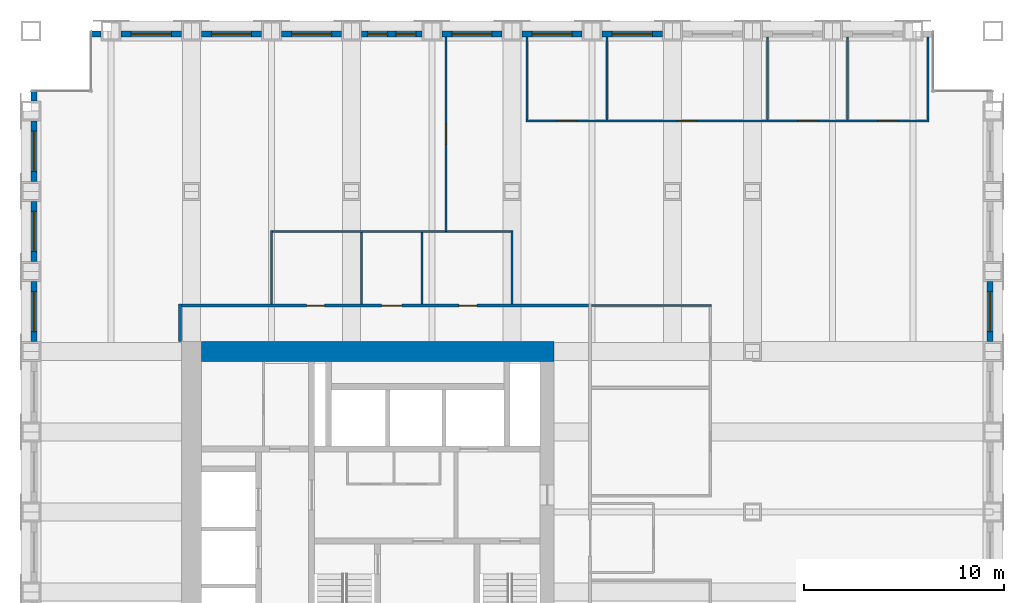
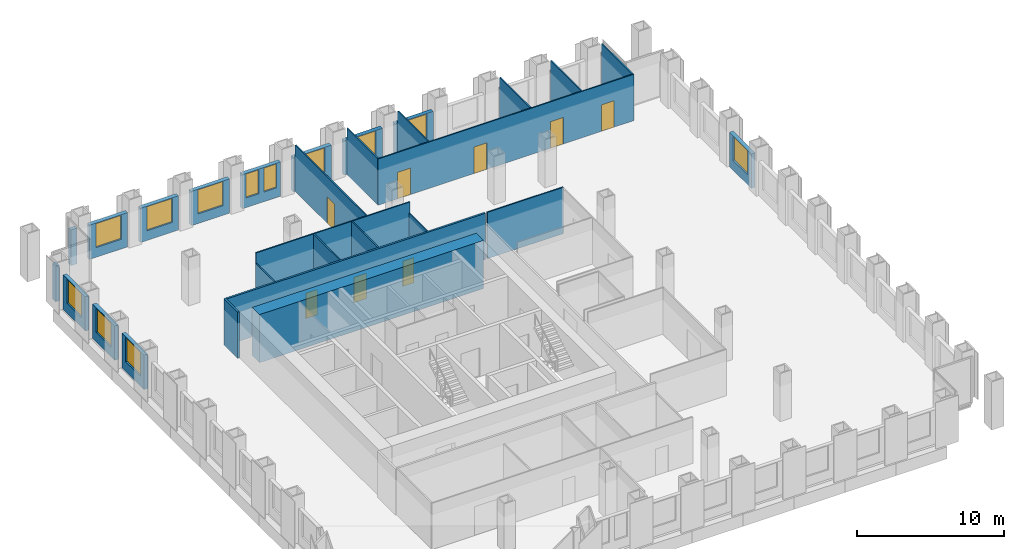
# One storey, part 13 of 15: 29 walls, 12 windows, 8 doors, 20 openings.
"""IFC4 building model written with IfcOpenShell, lengths in metres."""

from ifc_helpers import new_model, si_unit, direction, frame, frame_2d, origin, place, context, subcontext, project, spatial, rectangle, extrude, material, layer, layer_set, type_object, element, fill, save


model = new_model("IFC4")

# Units and contexts
model_context = context("Model", 3, precision=1e-05, world=origin(), true_north=direction((0.0, 1.0)))
body_context = subcontext(model_context, "Body", "Model", "MODEL_VIEW")
ifc_project = project(units=[si_unit("LENGTHUNIT", "METRE"), si_unit("AREAUNIT", "SQUARE_METRE"), si_unit("VOLUMEUNIT", "CUBIC_METRE"), si_unit("PLANEANGLEUNIT", "RADIAN"), si_unit("MASSUNIT", "GRAM", prefix="KILO")], contexts=[model_context])

# Site, building, storey
site_placement = place(None, origin())
site = spatial("IfcSite", under=ifc_project, at=site_placement, CompositionType="ELEMENT")
building_placement = place(site_placement, origin())
building = spatial("IfcBuilding", under=site, at=building_placement, Name="Rimbunsela Tower", CompositionType="ELEMENT")
storey_placement = place(building_placement, frame((0.0, 0.0, 117.39990234375)))
storey = spatial("IfcBuildingStorey", under=building, at=storey_placement, Name="L28", CompositionType="ELEMENT", Elevation=117.39990234375)

# Walls
ifc_material_1 = material(Name="Concrete fc' 80 MPa", Category="concrete")
ifc_layer_1 = layer(ifc_material_1, 1.0)
ifc_layer_set_1 = layer_set([ifc_layer_1], Name="Core wall 1000")
wall_type_1 = type_object("IfcWallType", Name="Core wall 1000", PredefinedType="SHEAR", material=ifc_layer_set_1)
wall_1_placement = place(storey_placement, frame((18.5, 36.0, -0.14990234375), z_axis=(0.0, 0.0, 1.0), x_axis=(1.0, 0.0, 0.0)))
element("IfcWall", 1, at=wall_1_placement, inside=storey, type_object=wall_type_1, Name="Core wall north", PredefinedType="SHEAR", context=body_context, shape_type="SweptSolid", body=[
    extrude(rectangle(XDim=17.60009765625, YDim=1.0, at=frame_2d((8.800048828125, 0.0))), origin(), (0.0, 0.0, 1.0), 4.0),
])
ifc_material_2 = material(Name="Gypsum board on steel studs", Category="steel")
ifc_layer_2 = layer(ifc_material_2, 0.10009765625)
ifc_layer_set_2 = layer_set([ifc_layer_2], Name="Office partition 100")
wall_type_2 = type_object("IfcWallType", Name="Office partition 100", PredefinedType="PARTITIONING", material=ifc_layer_set_2)
wall_2_placement = place(storey_placement, frame((37.97509765625, 38.300048828125, 0.0), z_axis=(0.0, 0.0, 1.0), x_axis=(1.0, 0.0, 0.0)))
element("IfcWall", 2, at=wall_2_placement, inside=storey, type_object=wall_type_2, Name="Office partition", PredefinedType="PARTITIONING", context=body_context, shape_type="SweptSolid", body=[
    extrude(rectangle(XDim=5.974853515625, YDim=0.10009765625, at=frame_2d((2.9873046875, 0.0))), origin(), (0.0, 0.0, 1.0), 3.85009765625),
])

# Wall, openings, doors
wall_3_placement = place(storey_placement, frame((34.699951171875, 47.5, 0.0), z_axis=(0.0, 0.0, 1.0), x_axis=(1.0, 0.0, 0.0)))
wall_3 = element("IfcWall", 3, at=wall_3_placement, inside=storey, type_object=wall_type_2, Name="Office partition", PredefinedType="PARTITIONING", context=body_context, shape_type="SweptSolid", body=[
    extrude(rectangle(XDim=20.10009765625, YDim=0.10009765625, at=frame_2d((10.050048828125, 0.0))), origin(), (0.0, 0.0, 1.0), 3.85009765625),
])
opening_1_placement = place(wall_3_placement, frame((1.550048828125, 0.0, 0.0)))
opening_1 = element("IfcOpeningElement", 4, at=opening_1_placement, cuts=wall_3, Name="Opening D16", PredefinedType="OPENING", context=body_context, shape_type="SweptSolid", body=[
    extrude(rectangle(XDim=1.0, YDim=2.199951171875, at=frame_2d((0.5, 1.10009765625))), frame((0.0, 0.06005859375, 0.0), z_axis=(0.0, -1.0, 0.0), x_axis=(1.0, 0.0, 0.0)), (0.0, 0.0, 1.0), 0.1201171875),
])
opening_2_placement = place(wall_3_placement, frame((7.550048828125, 0.0, 0.0)))
opening_2 = element("IfcOpeningElement", 5, at=opening_2_placement, cuts=wall_3, Name="Opening D16", PredefinedType="OPENING", context=body_context, shape_type="SweptSolid", body=[
    extrude(rectangle(XDim=1.0, YDim=2.199951171875, at=frame_2d((0.5, 1.10009765625))), frame((0.0, 0.06005859375, 0.0), z_axis=(0.0, -1.0, 0.0), x_axis=(1.0, 0.0, 0.0)), (0.0, 0.0, 1.0), 0.1201171875),
])
opening_3_placement = place(wall_3_placement, frame((13.550048828125, 0.0, 0.0)))
opening_3 = element("IfcOpeningElement", 6, at=opening_3_placement, cuts=wall_3, Name="Opening D16", PredefinedType="OPENING", context=body_context, shape_type="SweptSolid", body=[
    extrude(rectangle(XDim=1.0, YDim=2.199951171875, at=frame_2d((0.5, 1.10009765625))), frame((0.0, 0.06005859375, 0.0), z_axis=(0.0, -1.0, 0.0), x_axis=(1.0, 0.0, 0.0)), (0.0, 0.0, 1.0), 0.1201171875),
])
opening_4_placement = place(wall_3_placement, frame((17.550048828125, 0.0, 0.0)))
opening_4 = element("IfcOpeningElement", 7, at=opening_4_placement, cuts=wall_3, Name="Opening D16", PredefinedType="OPENING", context=body_context, shape_type="SweptSolid", body=[
    extrude(rectangle(XDim=1.0, YDim=2.199951171875, at=frame_2d((0.5, 1.10009765625))), frame((0.0, 0.06005859375, 0.0), z_axis=(0.0, -1.0, 0.0), x_axis=(1.0, 0.0, 0.0)), (0.0, 0.0, 1.0), 0.1201171875),
])
ifc_material_3 = material(Name="Timber door", Category="wood")
door_type_1 = type_object("IfcDoorType", Name="Office door 1000", OperationType="SINGLE_SWING_LEFT", PredefinedType="DOOR", material=ifc_material_3)
door_1_placement = place(opening_1_placement, origin())
door_1 = element("IfcDoor", 8, at=door_1_placement, inside=storey, type_object=door_type_1, Name="Office door", OperationType="SINGLE_SWING_LEFT", OverallHeight=2.199951171875, OverallWidth=1.0, PredefinedType="DOOR", context=body_context, shape_type="SweptSolid", body=[
    extrude(rectangle(XDim=1.0, YDim=2.199951171875, at=frame_2d((0.5, 1.10009765625))), frame((0.0, 0.02490234375, 0.0), z_axis=(0.0, -1.0, 0.0), x_axis=(1.0, 0.0, 0.0)), (0.0, 0.0, 1.0), 0.050048828125),
])
fill(opening_1, door_1)
door_2_placement = place(opening_2_placement, origin())
door_2 = element("IfcDoor", 9, at=door_2_placement, inside=storey, type_object=door_type_1, Name="Office door", OperationType="SINGLE_SWING_LEFT", OverallHeight=2.199951171875, OverallWidth=1.0, PredefinedType="DOOR", context=body_context, shape_type="SweptSolid", body=[
    extrude(rectangle(XDim=1.0, YDim=2.199951171875, at=frame_2d((0.5, 1.10009765625))), frame((0.0, 0.02490234375, 0.0), z_axis=(0.0, -1.0, 0.0), x_axis=(1.0, 0.0, 0.0)), (0.0, 0.0, 1.0), 0.050048828125),
])
fill(opening_2, door_2)
door_3_placement = place(opening_3_placement, origin())
door_3 = element("IfcDoor", 10, at=door_3_placement, inside=storey, type_object=door_type_1, Name="Office door", OperationType="SINGLE_SWING_LEFT", OverallHeight=2.199951171875, OverallWidth=1.0, PredefinedType="DOOR", context=body_context, shape_type="SweptSolid", body=[
    extrude(rectangle(XDim=1.0, YDim=2.199951171875, at=frame_2d((0.5, 1.10009765625))), frame((0.0, 0.02490234375, 0.0), z_axis=(0.0, -1.0, 0.0), x_axis=(1.0, 0.0, 0.0)), (0.0, 0.0, 1.0), 0.050048828125),
])
fill(opening_3, door_3)
door_4_placement = place(opening_4_placement, origin())
door_4 = element("IfcDoor", 11, at=door_4_placement, inside=storey, type_object=door_type_1, Name="Office door", OperationType="SINGLE_SWING_LEFT", OverallHeight=2.199951171875, OverallWidth=1.0, PredefinedType="DOOR", context=body_context, shape_type="SweptSolid", body=[
    extrude(rectangle(XDim=1.0, YDim=2.199951171875, at=frame_2d((0.5, 1.10009765625))), frame((0.0, 0.02490234375, 0.0), z_axis=(0.0, -1.0, 0.0), x_axis=(1.0, 0.0, 0.0)), (0.0, 0.0, 1.0), 0.050048828125),
])
fill(opening_4, door_4)

# Walls
for number, where, z_axis, x_axis, name in (
    (12, (34.75, 47.550048828125, 0.0), (0.0, 0.0, 1.0), (0.0, 1.0, 0.0), "Office partition"),
    (13, (38.75, 47.550048828125, 0.0), (0.0, 0.0, 1.0), (0.0, 1.0, 0.0), "Office partition"),
    (14, (46.75, 47.550048828125, 0.0), (0.0, 0.0, 1.0), (0.0, 1.0, 0.0), "Office partition"),
    (15, (50.75, 47.550048828125, 0.0), (0.0, 0.0, 1.0), (0.0, 1.0, 0.0), "Office partition"),
    (16, (54.75, 47.550048828125, 0.0), (0.0, 0.0, 1.0), (0.0, 1.0, 0.0), "Office partition"),
):
    element("IfcWall", number, at=place(storey_placement, frame(where, z_axis=z_axis, x_axis=x_axis)), inside=storey, type_object=wall_type_2, Name=name, PredefinedType="PARTITIONING", context=body_context, shape_type="SweptSolid", body=[
        extrude(rectangle(XDim=4.14990234375, YDim=0.10009765625, at=frame_2d((2.074951171875, 0.0))), origin(), (0.0, 0.0, 1.0), 3.85009765625),
    ])

# Wall, opening, door
wall_4_placement = place(storey_placement, frame((30.699951171875, 42.0, 0.0), z_axis=(0.0, 0.0, 1.0), x_axis=(0.0, 1.0, 0.0)))
wall_4 = element("IfcWall", 17, at=wall_4_placement, inside=storey, type_object=wall_type_2, Name="Office partition", PredefinedType="PARTITIONING", context=body_context, shape_type="SweptSolid", body=[
    extrude(rectangle(XDim=9.699951171875, YDim=0.10009765625, at=frame_2d((4.85009765625, 0.0))), origin(), (0.0, 0.0, 1.0), 3.85009765625),
])
opening_5_placement = place(wall_4_placement, frame((4.35009765625, 0.0, 0.0)))
opening_5 = element("IfcOpeningElement", 18, at=opening_5_placement, cuts=wall_4, Name="Opening D17", PredefinedType="OPENING", context=body_context, shape_type="SweptSolid", body=[
    extrude(rectangle(XDim=1.0, YDim=2.199951171875, at=frame_2d((0.5, 1.10009765625))), frame((0.0, 0.06005859375, 0.0), z_axis=(0.0, -1.0, 0.0), x_axis=(1.0, 0.0, 0.0)), (0.0, 0.0, 1.0), 0.1201171875),
])
ifc_material_4 = material(Name="Glazed aluminium door", Category="aluminium")
door_type_2 = type_object("IfcDoorType", Name="Meeting room door 1000 glazed", OperationType="SINGLE_SWING_RIGHT", PredefinedType="DOOR", material=ifc_material_4)
door_5_placement = place(opening_5_placement, origin())
door_5 = element("IfcDoor", 19, at=door_5_placement, inside=storey, type_object=door_type_2, Name="Open office screen door", OperationType="SINGLE_SWING_RIGHT", OverallHeight=2.199951171875, OverallWidth=1.0, PredefinedType="DOOR", context=body_context, shape_type="SweptSolid", body=[
    extrude(rectangle(XDim=1.0, YDim=2.199951171875, at=frame_2d((0.5, 1.10009765625))), frame((0.0, 0.02490234375, 0.0), z_axis=(0.0, -1.0, 0.0), x_axis=(1.0, 0.0, 0.0)), (0.0, 0.0, 1.0), 0.050048828125),
])
fill(opening_5, door_5)

# Wall, opening, window
ifc_material_5 = material(Name="Precast concrete fc' 35 MPa", Category="concrete")
ifc_layer_3 = layer(ifc_material_5, 0.300048828125)
ifc_layer_set_3 = layer_set([ifc_layer_3], Name="Precast concrete fc' 35 MPa")
wall_type_3 = type_object("IfcWallType", Name="Precast facade panel 300", PredefinedType="ELEMENTEDWALL", material=ifc_layer_set_3)
wall_5_placement = place(storey_placement, frame((57.85009765625, 36.5, 0.0), z_axis=(0.0, 0.0, 1.0), x_axis=(0.0, 1.0, 0.0)))
wall_5 = element("IfcWall", 20, at=wall_5_placement, inside=storey, type_object=wall_type_3, Name="Facade panel E L28", PredefinedType="ELEMENTEDWALL", context=body_context, shape_type="SweptSolid", body=[
    extrude(rectangle(XDim=3.0, YDim=0.300048828125, at=frame_2d((1.5, 0.0))), origin(), (0.0, 0.0, 1.0), 2.85009765625),
])
opening_6_placement = place(wall_5_placement, frame((0.5, 0.0, 0.800048828125)))
opening_6 = element("IfcOpeningElement", 21, at=opening_6_placement, cuts=wall_5, Name="Opening W1", PredefinedType="OPENING", context=body_context, shape_type="SweptSolid", body=[
    extrude(rectangle(XDim=2.0, YDim=2.0, at=frame_2d((1.0, 1.0))), frame((0.0, 0.159912109375, 0.0), z_axis=(0.0, -1.0, 0.0), x_axis=(1.0, 0.0, 0.0)), (0.0, 0.0, 1.0), 0.320068359375),
])
ifc_material_6 = material(Name="Clear glass in aluminium frame", Category="aluminium")
window_type_1 = type_object("IfcWindowType", Name="Window W1 2000x2000", PartitioningType="DOUBLE_PANEL_VERTICAL", PredefinedType="WINDOW", material=ifc_material_6)
window_1_placement = place(opening_6_placement, origin())
window_1 = element("IfcWindow", 22, at=window_1_placement, inside=storey, type_object=window_type_1, Name="Window L28", OverallHeight=2.0, OverallWidth=2.0, PartitioningType="SINGLE_PANEL", PredefinedType="WINDOW", context=body_context, shape_type="SweptSolid", body=[
    extrude(rectangle(XDim=2.0, YDim=2.0, at=frame_2d((1.0, 1.0))), frame((0.0, 0.030029296875, 0.0), z_axis=(0.0, -1.0, 0.0), x_axis=(1.0, 0.0, 0.0)), (0.0, 0.0, 1.0), 0.06005859375),
])
fill(opening_6, window_1)

# Wall
wall_6_placement = place(storey_placement, frame((13.5, 51.85009765625, 0.0), z_axis=(0.0, 0.0, 1.0), x_axis=(-1.0, 0.0, 0.0)))
element("IfcWall", 23, at=wall_6_placement, inside=storey, type_object=wall_type_3, Name="Facade panel N L28", PredefinedType="ELEMENTEDWALL", context=body_context, shape_type="SweptSolid", body=[
    extrude(rectangle(XDim=0.469970703125, YDim=0.300048828125, at=frame_2d((0.23486328125, 0.0))), origin(), (0.0, 0.0, 1.0), 2.9501953125),
])

# Wall, opening, window
wall_7_placement = place(storey_placement, frame((17.5, 51.85009765625, 0.0), z_axis=(0.0, 0.0, 1.0), x_axis=(-1.0, 0.0, 0.0)))
wall_7 = element("IfcWall", 24, at=wall_7_placement, inside=storey, type_object=wall_type_3, Name="Facade panel N L28", PredefinedType="ELEMENTEDWALL", context=body_context, shape_type="SweptSolid", body=[
    extrude(rectangle(XDim=3.0, YDim=0.300048828125, at=frame_2d((1.5, 0.0))), origin(), (0.0, 0.0, 1.0), 2.85009765625),
])
opening_7_placement = place(wall_7_placement, frame((0.5, 0.0, 0.800048828125)))
opening_7 = element("IfcOpeningElement", 25, at=opening_7_placement, cuts=wall_7, Name="Opening W1", PredefinedType="OPENING", context=body_context, shape_type="SweptSolid", body=[
    extrude(rectangle(XDim=2.0, YDim=2.0, at=frame_2d((1.0, 1.0))), frame((0.0, 0.159912109375, 0.0), z_axis=(0.0, -1.0, 0.0), x_axis=(1.0, 0.0, 0.0)), (0.0, 0.0, 1.0), 0.320068359375),
])
window_2_placement = place(opening_7_placement, origin())
window_2 = element("IfcWindow", 26, at=window_2_placement, inside=storey, type_object=window_type_1, Name="Window L28", OverallHeight=2.0, OverallWidth=2.0, PartitioningType="SINGLE_PANEL", PredefinedType="WINDOW", context=body_context, shape_type="SweptSolid", body=[
    extrude(rectangle(XDim=2.0, YDim=2.0, at=frame_2d((1.0, 1.0))), frame((0.0, 0.030029296875, 0.0), z_axis=(0.0, -1.0, 0.0), x_axis=(1.0, 0.0, 0.0)), (0.0, 0.0, 1.0), 0.06005859375),
])
fill(opening_7, window_2)

wall_8_placement = place(storey_placement, frame((21.5, 51.85009765625, 0.0), z_axis=(0.0, 0.0, 1.0), x_axis=(-1.0, 0.0, 0.0)))
wall_8 = element("IfcWall", 27, at=wall_8_placement, inside=storey, type_object=wall_type_3, Name="Facade panel N L28", PredefinedType="ELEMENTEDWALL", context=body_context, shape_type="SweptSolid", body=[
    extrude(rectangle(XDim=3.0, YDim=0.300048828125, at=frame_2d((1.5, 0.0))), origin(), (0.0, 0.0, 1.0), 2.85009765625),
])
opening_8_placement = place(wall_8_placement, frame((0.5, 0.0, 0.800048828125)))
opening_8 = element("IfcOpeningElement", 28, at=opening_8_placement, cuts=wall_8, Name="Opening W1", PredefinedType="OPENING", context=body_context, shape_type="SweptSolid", body=[
    extrude(rectangle(XDim=2.0, YDim=2.0, at=frame_2d((1.0, 1.0))), frame((0.0, 0.159912109375, 0.0), z_axis=(0.0, -1.0, 0.0), x_axis=(1.0, 0.0, 0.0)), (0.0, 0.0, 1.0), 0.320068359375),
])
window_3_placement = place(opening_8_placement, origin())
window_3 = element("IfcWindow", 29, at=window_3_placement, inside=storey, type_object=window_type_1, Name="Window L28", OverallHeight=2.0, OverallWidth=2.0, PartitioningType="SINGLE_PANEL", PredefinedType="WINDOW", context=body_context, shape_type="SweptSolid", body=[
    extrude(rectangle(XDim=2.0, YDim=2.0, at=frame_2d((1.0, 1.0))), frame((0.0, 0.030029296875, 0.0), z_axis=(0.0, -1.0, 0.0), x_axis=(1.0, 0.0, 0.0)), (0.0, 0.0, 1.0), 0.06005859375),
])
fill(opening_8, window_3)

wall_9_placement = place(storey_placement, frame((25.5, 51.85009765625, 0.0), z_axis=(0.0, 0.0, 1.0), x_axis=(-1.0, 0.0, 0.0)))
wall_9 = element("IfcWall", 30, at=wall_9_placement, inside=storey, type_object=wall_type_3, Name="Facade panel N L28", PredefinedType="ELEMENTEDWALL", context=body_context, shape_type="SweptSolid", body=[
    extrude(rectangle(XDim=3.0, YDim=0.300048828125, at=frame_2d((1.5, 0.0))), origin(), (0.0, 0.0, 1.0), 2.85009765625),
])
opening_9_placement = place(wall_9_placement, frame((0.5, 0.0, 0.800048828125)))
opening_9 = element("IfcOpeningElement", 31, at=opening_9_placement, cuts=wall_9, Name="Opening W1", PredefinedType="OPENING", context=body_context, shape_type="SweptSolid", body=[
    extrude(rectangle(XDim=2.0, YDim=2.0, at=frame_2d((1.0, 1.0))), frame((0.0, 0.159912109375, 0.0), z_axis=(0.0, -1.0, 0.0), x_axis=(1.0, 0.0, 0.0)), (0.0, 0.0, 1.0), 0.320068359375),
])
window_4_placement = place(opening_9_placement, origin())
window_4 = element("IfcWindow", 32, at=window_4_placement, inside=storey, type_object=window_type_1, Name="Window L28", OverallHeight=2.0, OverallWidth=2.0, PartitioningType="SINGLE_PANEL", PredefinedType="WINDOW", context=body_context, shape_type="SweptSolid", body=[
    extrude(rectangle(XDim=2.0, YDim=2.0, at=frame_2d((1.0, 1.0))), frame((0.0, 0.030029296875, 0.0), z_axis=(0.0, -1.0, 0.0), x_axis=(1.0, 0.0, 0.0)), (0.0, 0.0, 1.0), 0.06005859375),
])
fill(opening_9, window_4)

# Wall, openings, windows
wall_10_placement = place(storey_placement, frame((29.5, 51.85009765625, 0.0), z_axis=(0.0, 0.0, 1.0), x_axis=(-1.0, 0.0, 0.0)))
wall_10 = element("IfcWall", 33, at=wall_10_placement, inside=storey, type_object=wall_type_3, Name="Facade panel N L28", PredefinedType="ELEMENTEDWALL", context=body_context, shape_type="SweptSolid", body=[
    extrude(rectangle(XDim=3.0, YDim=0.300048828125, at=frame_2d((1.5, 0.0))), origin(), (0.0, 0.0, 1.0), 2.85009765625),
])
opening_10_placement = place(wall_10_placement, frame((1.699951171875, 0.0, 0.800048828125)))
opening_10 = element("IfcOpeningElement", 34, at=opening_10_placement, cuts=wall_10, Name="Opening W5", PredefinedType="OPENING", context=body_context, shape_type="SweptSolid", body=[
    extrude(rectangle(XDim=1.0, YDim=2.0, at=frame_2d((0.5, 1.0))), frame((0.0, 0.159912109375, 0.0), z_axis=(0.0, -1.0, 0.0), x_axis=(1.0, 0.0, 0.0)), (0.0, 0.0, 1.0), 0.320068359375),
])
opening_11_placement = place(wall_10_placement, frame((0.300048828125, 0.0, 0.800048828125)))
opening_11 = element("IfcOpeningElement", 35, at=opening_11_placement, cuts=wall_10, Name="Opening W5", PredefinedType="OPENING", context=body_context, shape_type="SweptSolid", body=[
    extrude(rectangle(XDim=1.0, YDim=2.0, at=frame_2d((0.5, 1.0))), frame((0.0, 0.159912109375, 0.0), z_axis=(0.0, -1.0, 0.0), x_axis=(1.0, 0.0, 0.0)), (0.0, 0.0, 1.0), 0.320068359375),
])
ifc_material_7 = material(Name="Clear glass in aluminium frame", Category="aluminium")
window_type_2 = type_object("IfcWindowType", Name="Window W5 1000x2000", PartitioningType="SINGLE_PANEL", PredefinedType="WINDOW", material=ifc_material_7)
window_5_placement = place(opening_10_placement, origin())
window_5 = element("IfcWindow", 36, at=window_5_placement, inside=storey, type_object=window_type_2, Name="Window L28", OverallHeight=2.0, OverallWidth=1.0, PartitioningType="SINGLE_PANEL", PredefinedType="WINDOW", context=body_context, shape_type="SweptSolid", body=[
    extrude(rectangle(XDim=1.0, YDim=2.0, at=frame_2d((0.5, 1.0))), frame((0.0, 0.030029296875, 0.0), z_axis=(0.0, -1.0, 0.0), x_axis=(1.0, 0.0, 0.0)), (0.0, 0.0, 1.0), 0.06005859375),
])
fill(opening_10, window_5)
window_6_placement = place(opening_11_placement, origin())
window_6 = element("IfcWindow", 37, at=window_6_placement, inside=storey, type_object=window_type_2, Name="Window L28", OverallHeight=2.0, OverallWidth=1.0, PartitioningType="SINGLE_PANEL", PredefinedType="WINDOW", context=body_context, shape_type="SweptSolid", body=[
    extrude(rectangle(XDim=1.0, YDim=2.0, at=frame_2d((0.5, 1.0))), frame((0.0, 0.030029296875, 0.0), z_axis=(0.0, -1.0, 0.0), x_axis=(1.0, 0.0, 0.0)), (0.0, 0.0, 1.0), 0.06005859375),
])
fill(opening_11, window_6)

# Wall, opening, window
wall_11_placement = place(storey_placement, frame((33.5, 51.85009765625, 0.0), z_axis=(0.0, 0.0, 1.0), x_axis=(-1.0, 0.0, 0.0)))
wall_11 = element("IfcWall", 38, at=wall_11_placement, inside=storey, type_object=wall_type_3, Name="Facade panel N L28", PredefinedType="ELEMENTEDWALL", context=body_context, shape_type="SweptSolid", body=[
    extrude(rectangle(XDim=3.0, YDim=0.300048828125, at=frame_2d((1.5, 0.0))), origin(), (0.0, 0.0, 1.0), 2.85009765625),
])
opening_12_placement = place(wall_11_placement, frame((0.5, 0.0, 0.800048828125)))
opening_12 = element("IfcOpeningElement", 39, at=opening_12_placement, cuts=wall_11, Name="Opening W1", PredefinedType="OPENING", context=body_context, shape_type="SweptSolid", body=[
    extrude(rectangle(XDim=2.0, YDim=2.0, at=frame_2d((1.0, 1.0))), frame((0.0, 0.159912109375, 0.0), z_axis=(0.0, -1.0, 0.0), x_axis=(1.0, 0.0, 0.0)), (0.0, 0.0, 1.0), 0.320068359375),
])
window_7_placement = place(opening_12_placement, origin())
window_7 = element("IfcWindow", 40, at=window_7_placement, inside=storey, type_object=window_type_1, Name="Window L28", OverallHeight=2.0, OverallWidth=2.0, PartitioningType="SINGLE_PANEL", PredefinedType="WINDOW", context=body_context, shape_type="SweptSolid", body=[
    extrude(rectangle(XDim=2.0, YDim=2.0, at=frame_2d((1.0, 1.0))), frame((0.0, 0.030029296875, 0.0), z_axis=(0.0, -1.0, 0.0), x_axis=(1.0, 0.0, 0.0)), (0.0, 0.0, 1.0), 0.06005859375),
])
fill(opening_12, window_7)

wall_12_placement = place(storey_placement, frame((37.5, 51.85009765625, 0.0), z_axis=(0.0, 0.0, 1.0), x_axis=(-1.0, 0.0, 0.0)))
wall_12 = element("IfcWall", 41, at=wall_12_placement, inside=storey, type_object=wall_type_3, Name="Facade panel N L28", PredefinedType="ELEMENTEDWALL", context=body_context, shape_type="SweptSolid", body=[
    extrude(rectangle(XDim=3.0, YDim=0.300048828125, at=frame_2d((1.5, 0.0))), origin(), (0.0, 0.0, 1.0), 2.85009765625),
])
opening_13_placement = place(wall_12_placement, frame((0.5, 0.0, 0.800048828125)))
opening_13 = element("IfcOpeningElement", 42, at=opening_13_placement, cuts=wall_12, Name="Opening W1", PredefinedType="OPENING", context=body_context, shape_type="SweptSolid", body=[
    extrude(rectangle(XDim=2.0, YDim=2.0, at=frame_2d((1.0, 1.0))), frame((0.0, 0.159912109375, 0.0), z_axis=(0.0, -1.0, 0.0), x_axis=(1.0, 0.0, 0.0)), (0.0, 0.0, 1.0), 0.320068359375),
])
window_8_placement = place(opening_13_placement, origin())
window_8 = element("IfcWindow", 43, at=window_8_placement, inside=storey, type_object=window_type_1, Name="Window L28", OverallHeight=2.0, OverallWidth=2.0, PartitioningType="SINGLE_PANEL", PredefinedType="WINDOW", context=body_context, shape_type="SweptSolid", body=[
    extrude(rectangle(XDim=2.0, YDim=2.0, at=frame_2d((1.0, 1.0))), frame((0.0, 0.030029296875, 0.0), z_axis=(0.0, -1.0, 0.0), x_axis=(1.0, 0.0, 0.0)), (0.0, 0.0, 1.0), 0.06005859375),
])
fill(opening_13, window_8)

wall_13_placement = place(storey_placement, frame((41.5, 51.85009765625, 0.0), z_axis=(0.0, 0.0, 1.0), x_axis=(-1.0, 0.0, 0.0)))
wall_13 = element("IfcWall", 44, at=wall_13_placement, inside=storey, type_object=wall_type_3, Name="Facade panel N L28", PredefinedType="ELEMENTEDWALL", context=body_context, shape_type="SweptSolid", body=[
    extrude(rectangle(XDim=3.0, YDim=0.300048828125, at=frame_2d((1.5, 0.0))), origin(), (0.0, 0.0, 1.0), 2.85009765625),
])
opening_14_placement = place(wall_13_placement, frame((0.5, 0.0, 0.800048828125)))
opening_14 = element("IfcOpeningElement", 45, at=opening_14_placement, cuts=wall_13, Name="Opening W1", PredefinedType="OPENING", context=body_context, shape_type="SweptSolid", body=[
    extrude(rectangle(XDim=2.0, YDim=2.0, at=frame_2d((1.0, 1.0))), frame((0.0, 0.159912109375, 0.0), z_axis=(0.0, -1.0, 0.0), x_axis=(1.0, 0.0, 0.0)), (0.0, 0.0, 1.0), 0.320068359375),
])
window_9_placement = place(opening_14_placement, origin())
window_9 = element("IfcWindow", 46, at=window_9_placement, inside=storey, type_object=window_type_1, Name="Window L28", OverallHeight=2.0, OverallWidth=2.0, PartitioningType="SINGLE_PANEL", PredefinedType="WINDOW", context=body_context, shape_type="SweptSolid", body=[
    extrude(rectangle(XDim=2.0, YDim=2.0, at=frame_2d((1.0, 1.0))), frame((0.0, 0.030029296875, 0.0), z_axis=(0.0, -1.0, 0.0), x_axis=(1.0, 0.0, 0.0)), (0.0, 0.0, 1.0), 0.06005859375),
])
fill(opening_14, window_9)

wall_14_placement = place(storey_placement, frame((10.14990234375, 39.5, 0.0), z_axis=(0.0, 0.0, 1.0), x_axis=(0.0, -1.0, 0.0)))
wall_14 = element("IfcWall", 47, at=wall_14_placement, inside=storey, type_object=wall_type_3, Name="Facade panel W L28", PredefinedType="ELEMENTEDWALL", context=body_context, shape_type="SweptSolid", body=[
    extrude(rectangle(XDim=3.0, YDim=0.300048828125, at=frame_2d((1.5, 0.0))), origin(), (0.0, 0.0, 1.0), 2.85009765625),
])
opening_15_placement = place(wall_14_placement, frame((0.5, 0.0, 0.800048828125)))
opening_15 = element("IfcOpeningElement", 48, at=opening_15_placement, cuts=wall_14, Name="Opening W1", PredefinedType="OPENING", context=body_context, shape_type="SweptSolid", body=[
    extrude(rectangle(XDim=2.0, YDim=2.0, at=frame_2d((1.0, 1.0))), frame((0.0, 0.159912109375, 0.0), z_axis=(0.0, -1.0, 0.0), x_axis=(1.0, 0.0, 0.0)), (0.0, 0.0, 1.0), 0.320068359375),
])
window_10_placement = place(opening_15_placement, origin())
window_10 = element("IfcWindow", 49, at=window_10_placement, inside=storey, type_object=window_type_1, Name="Window L28", OverallHeight=2.0, OverallWidth=2.0, PartitioningType="SINGLE_PANEL", PredefinedType="WINDOW", context=body_context, shape_type="SweptSolid", body=[
    extrude(rectangle(XDim=2.0, YDim=2.0, at=frame_2d((1.0, 1.0))), frame((0.0, 0.030029296875, 0.0), z_axis=(0.0, -1.0, 0.0), x_axis=(1.0, 0.0, 0.0)), (0.0, 0.0, 1.0), 0.06005859375),
])
fill(opening_15, window_10)

wall_15_placement = place(storey_placement, frame((10.14990234375, 43.5, 0.0), z_axis=(0.0, 0.0, 1.0), x_axis=(0.0, -1.0, 0.0)))
wall_15 = element("IfcWall", 50, at=wall_15_placement, inside=storey, type_object=wall_type_3, Name="Facade panel W L28", PredefinedType="ELEMENTEDWALL", context=body_context, shape_type="SweptSolid", body=[
    extrude(rectangle(XDim=3.0, YDim=0.300048828125, at=frame_2d((1.5, 0.0))), origin(), (0.0, 0.0, 1.0), 2.85009765625),
])
opening_16_placement = place(wall_15_placement, frame((0.5, 0.0, 0.800048828125)))
opening_16 = element("IfcOpeningElement", 51, at=opening_16_placement, cuts=wall_15, Name="Opening W1", PredefinedType="OPENING", context=body_context, shape_type="SweptSolid", body=[
    extrude(rectangle(XDim=2.0, YDim=2.0, at=frame_2d((1.0, 1.0))), frame((0.0, 0.159912109375, 0.0), z_axis=(0.0, -1.0, 0.0), x_axis=(1.0, 0.0, 0.0)), (0.0, 0.0, 1.0), 0.320068359375),
])
window_11_placement = place(opening_16_placement, origin())
window_11 = element("IfcWindow", 52, at=window_11_placement, inside=storey, type_object=window_type_1, Name="Window L28", OverallHeight=2.0, OverallWidth=2.0, PartitioningType="SINGLE_PANEL", PredefinedType="WINDOW", context=body_context, shape_type="SweptSolid", body=[
    extrude(rectangle(XDim=2.0, YDim=2.0, at=frame_2d((1.0, 1.0))), frame((0.0, 0.030029296875, 0.0), z_axis=(0.0, -1.0, 0.0), x_axis=(1.0, 0.0, 0.0)), (0.0, 0.0, 1.0), 0.06005859375),
])
fill(opening_16, window_11)

wall_16_placement = place(storey_placement, frame((10.14990234375, 47.5, 0.0), z_axis=(0.0, 0.0, 1.0), x_axis=(0.0, -1.0, 0.0)))
wall_16 = element("IfcWall", 53, at=wall_16_placement, inside=storey, type_object=wall_type_3, Name="Facade panel W L28", PredefinedType="ELEMENTEDWALL", context=body_context, shape_type="SweptSolid", body=[
    extrude(rectangle(XDim=3.0, YDim=0.300048828125, at=frame_2d((1.5, 0.0))), origin(), (0.0, 0.0, 1.0), 2.85009765625),
])
opening_17_placement = place(wall_16_placement, frame((0.5, 0.0, 0.800048828125)))
opening_17 = element("IfcOpeningElement", 54, at=opening_17_placement, cuts=wall_16, Name="Opening W1", PredefinedType="OPENING", context=body_context, shape_type="SweptSolid", body=[
    extrude(rectangle(XDim=2.0, YDim=2.0, at=frame_2d((1.0, 1.0))), frame((0.0, 0.159912109375, 0.0), z_axis=(0.0, -1.0, 0.0), x_axis=(1.0, 0.0, 0.0)), (0.0, 0.0, 1.0), 0.320068359375),
])
window_12_placement = place(opening_17_placement, origin())
window_12 = element("IfcWindow", 55, at=window_12_placement, inside=storey, type_object=window_type_1, Name="Window L28", OverallHeight=2.0, OverallWidth=2.0, PartitioningType="SINGLE_PANEL", PredefinedType="WINDOW", context=body_context, shape_type="SweptSolid", body=[
    extrude(rectangle(XDim=2.0, YDim=2.0, at=frame_2d((1.0, 1.0))), frame((0.0, 0.030029296875, 0.0), z_axis=(0.0, -1.0, 0.0), x_axis=(1.0, 0.0, 0.0)), (0.0, 0.0, 1.0), 0.06005859375),
])
fill(opening_17, window_12)

# Walls
wall_17_placement = place(storey_placement, frame((10.14990234375, 48.969970703125, 0.0), z_axis=(0.0, 0.0, 1.0), x_axis=(0.0, -1.0, 0.0)))
element("IfcWall", 56, at=wall_17_placement, inside=storey, type_object=wall_type_3, Name="Facade panel W L28", PredefinedType="ELEMENTEDWALL", context=body_context, shape_type="SweptSolid", body=[
    extrude(rectangle(XDim=0.469970703125, YDim=0.300048828125, at=frame_2d((0.23486328125, 0.0))), origin(), (0.0, 0.0, 1.0), 2.9501953125),
])
ifc_material_8 = material(Name="Fire-rated gypsum board on steel studs, EI 60", Category="steel")
ifc_layer_4 = layer(ifc_material_8, 0.14990234375)
ifc_layer_set_4 = layer_set([ifc_layer_4], Name="Rated corridor wall 150")
wall_type_4 = type_object("IfcWallType", Name="Rated corridor wall 150", PredefinedType="PARTITIONING", material=ifc_layer_set_4)
wall_18_placement = place(storey_placement, frame((17.425048828125, 36.5, 0.0), z_axis=(0.0, 0.0, 1.0), x_axis=(0.0, 1.0, 0.0)))
element("IfcWall", 57, at=wall_18_placement, inside=storey, type_object=wall_type_4, Name="Corridor end wall north", PredefinedType="PARTITIONING", context=body_context, shape_type="SweptSolid", body=[
    extrude(rectangle(XDim=1.875, YDim=0.14990234375, at=frame_2d((0.9375, 0.0))), origin(), (0.0, 0.0, 1.0), 3.85009765625),
])

# Wall, openings, doors
wall_19_placement = place(storey_placement, frame((17.5, 38.300048828125, 0.0), z_axis=(0.0, 0.0, 1.0), x_axis=(1.0, 0.0, 0.0)))
wall_19 = element("IfcWall", 58, at=wall_19_placement, inside=storey, type_object=wall_type_4, Name="Corridor wall north", PredefinedType="PARTITIONING", context=body_context, shape_type="SweptSolid", body=[
    extrude(rectangle(XDim=20.324951171875, YDim=0.14990234375, at=frame_2d((10.16259765625, 0.0))), origin(), (0.0, 0.0, 1.0), 3.85009765625),
])
opening_18_placement = place(wall_19_placement, frame((6.25, 0.0, 0.0)))
opening_18 = element("IfcOpeningElement", 59, at=opening_18_placement, cuts=wall_19, Name="Opening D04", PredefinedType="OPENING", context=body_context, shape_type="SweptSolid", body=[
    extrude(rectangle(XDim=0.89990234375, YDim=2.10009765625, at=frame_2d((0.449951171875, 1.050048828125))), frame((0.0, 0.0849609375, 0.0), z_axis=(0.0, -1.0, 0.0), x_axis=(1.0, 0.0, 0.0)), (0.0, 0.0, 1.0), 0.169921875),
])
opening_19_placement = place(wall_19_placement, frame((10.0, 0.0, 0.0)))
opening_19 = element("IfcOpeningElement", 60, at=opening_19_placement, cuts=wall_19, Name="Opening D05", PredefinedType="OPENING", context=body_context, shape_type="SweptSolid", body=[
    extrude(rectangle(XDim=1.0, YDim=2.10009765625, at=frame_2d((0.5, 1.050048828125))), frame((0.0, 0.0849609375, 0.0), z_axis=(0.0, -1.0, 0.0), x_axis=(1.0, 0.0, 0.0)), (0.0, 0.0, 1.0), 0.169921875),
])
opening_20_placement = place(wall_19_placement, frame((13.85009765625, 0.0, 0.0)))
opening_20 = element("IfcOpeningElement", 61, at=opening_20_placement, cuts=wall_19, Name="Opening D04", PredefinedType="OPENING", context=body_context, shape_type="SweptSolid", body=[
    extrude(rectangle(XDim=0.89990234375, YDim=2.10009765625, at=frame_2d((0.449951171875, 1.050048828125))), frame((0.0, 0.0849609375, 0.0), z_axis=(0.0, -1.0, 0.0), x_axis=(1.0, 0.0, 0.0)), (0.0, 0.0, 1.0), 0.169921875),
])
ifc_material_9 = material(Name="Timber door", Category="wood")
door_type_3 = type_object("IfcDoorType", Name="Accessible WC door 1000", OperationType="SLIDING_TO_LEFT", PredefinedType="DOOR", material=ifc_material_9)
door_6_placement = place(opening_19_placement, origin())
door_6 = element("IfcDoor", 62, at=door_6_placement, inside=storey, type_object=door_type_3, Name="Accessible WC door", OperationType="SLIDING_TO_LEFT", OverallHeight=2.10009765625, OverallWidth=1.0, PredefinedType="DOOR", context=body_context, shape_type="SweptSolid", body=[
    extrude(rectangle(XDim=1.0, YDim=2.10009765625, at=frame_2d((0.5, 1.050048828125))), frame((0.0, 0.02490234375, 0.0), z_axis=(0.0, -1.0, 0.0), x_axis=(1.0, 0.0, 0.0)), (0.0, 0.0, 1.0), 0.050048828125),
])
fill(opening_19, door_6)
ifc_material_10 = material(Name="Timber door", Category="wood")
door_type_4 = type_object("IfcDoorType", Name="Toilet door 900", OperationType="SINGLE_SWING_LEFT", PredefinedType="DOOR", material=ifc_material_10)
door_7_placement = place(opening_18_placement, origin())
door_7 = element("IfcDoor", 63, at=door_7_placement, inside=storey, type_object=door_type_4, Name="Female WC door", OperationType="SINGLE_SWING_LEFT", OverallHeight=2.10009765625, OverallWidth=0.89990234375, PredefinedType="DOOR", context=body_context, shape_type="SweptSolid", body=[
    extrude(rectangle(XDim=0.89990234375, YDim=2.10009765625, at=frame_2d((0.449951171875, 1.050048828125))), frame((0.0, 0.02490234375, 0.0), z_axis=(0.0, -1.0, 0.0), x_axis=(1.0, 0.0, 0.0)), (0.0, 0.0, 1.0), 0.050048828125),
])
fill(opening_18, door_7)
door_8_placement = place(opening_20_placement, origin())
door_8 = element("IfcDoor", 64, at=door_8_placement, inside=storey, type_object=door_type_4, Name="Male WC door", OperationType="SINGLE_SWING_LEFT", OverallHeight=2.10009765625, OverallWidth=0.89990234375, PredefinedType="DOOR", context=body_context, shape_type="SweptSolid", body=[
    extrude(rectangle(XDim=0.89990234375, YDim=2.10009765625, at=frame_2d((0.449951171875, 1.050048828125))), frame((0.0, 0.02490234375, 0.0), z_axis=(0.0, -1.0, 0.0), x_axis=(1.0, 0.0, 0.0)), (0.0, 0.0, 1.0), 0.050048828125),
])
fill(opening_20, door_8)

# Walls
ifc_material_11 = material(Name="Concrete blockwork", Category="masonry")
ifc_layer_5 = layer(ifc_material_11, 0.10009765625)
ifc_layer_set_5 = layer_set([ifc_layer_5], Name="Toilet partition 100")
wall_type_5 = type_object("IfcWallType", Name="Toilet partition 100", PredefinedType="PARTITIONING", material=ifc_layer_set_5)
for number, where, z_axis, x_axis, name in (
    (65, (22.0, 38.375, 0.0), (0.0, 0.0, 1.0), (0.0, 1.0, 0.0), "Toilet block wall west"),
    (66, (34.0, 38.375, 0.0), (0.0, 0.0, 1.0), (0.0, 1.0, 0.0), "Toilet block wall east"),
):
    element("IfcWall", number, at=place(storey_placement, frame(where, z_axis=z_axis, x_axis=x_axis)), inside=storey, type_object=wall_type_5, Name=name, PredefinedType="PARTITIONING", context=body_context, shape_type="SweptSolid", body=[
        extrude(rectangle(XDim=3.675048828125, YDim=0.10009765625, at=frame_2d((1.83740234375, 0.0))), origin(), (0.0, 0.0, 1.0), 2.9501953125),
    ])
wall_20_placement = place(storey_placement, frame((21.949951171875, 42.0, 0.0), z_axis=(0.0, 0.0, 1.0), x_axis=(1.0, 0.0, 0.0)))
element("IfcWall", 67, at=wall_20_placement, inside=storey, type_object=wall_type_5, Name="Toilet block wall north", PredefinedType="PARTITIONING", context=body_context, shape_type="SweptSolid", body=[
    extrude(rectangle(XDim=12.10009765625, YDim=0.10009765625, at=frame_2d((6.050048828125, 0.0))), origin(), (0.0, 0.0, 1.0), 3.85009765625),
])
for number, where, z_axis, x_axis, name in (
    (68, (26.5, 38.375, 0.0), (0.0, 0.0, 1.0), (0.0, 1.0, 0.0), "Toilet partition"),
    (69, (29.5, 38.375, 0.0), (0.0, 0.0, 1.0), (0.0, 1.0, 0.0), "Toilet partition"),
):
    element("IfcWall", number, at=place(storey_placement, frame(where, z_axis=z_axis, x_axis=x_axis)), inside=storey, type_object=wall_type_5, Name=name, PredefinedType="PARTITIONING", context=body_context, shape_type="SweptSolid", body=[
        extrude(rectangle(XDim=3.574951171875, YDim=0.10009765625, at=frame_2d((1.78759765625, 0.0))), origin(), (0.0, 0.0, 1.0), 3.85009765625),
    ])

save(model, "model.ifc")
